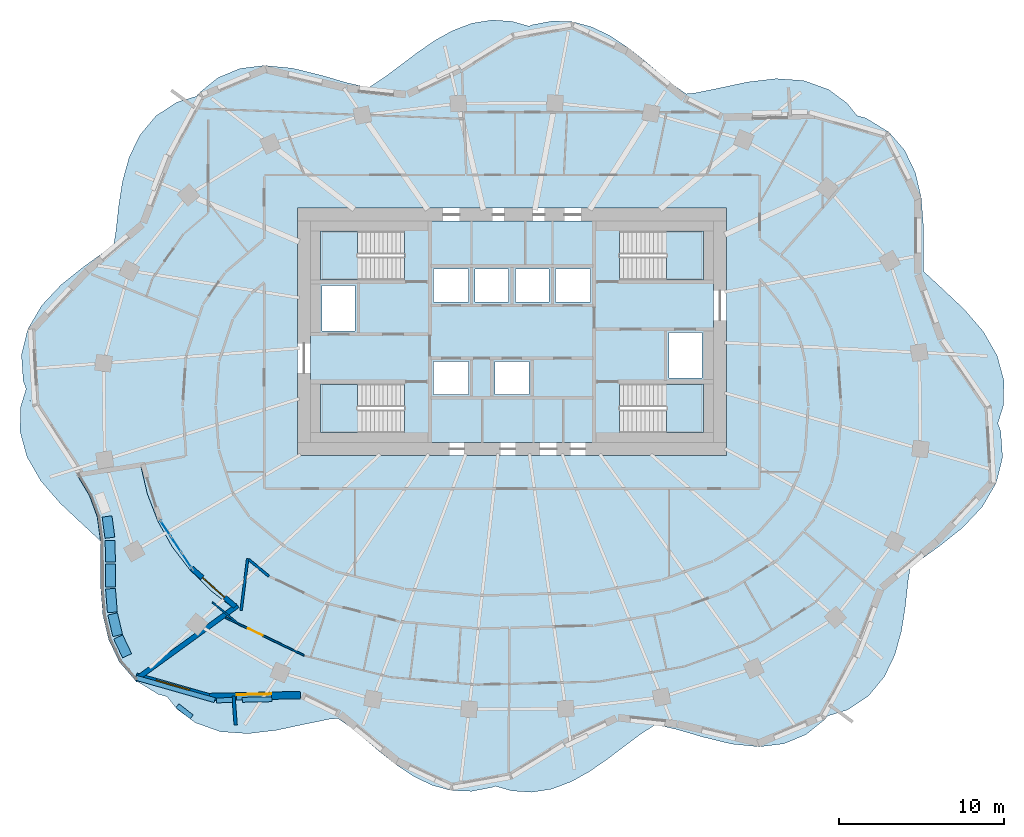
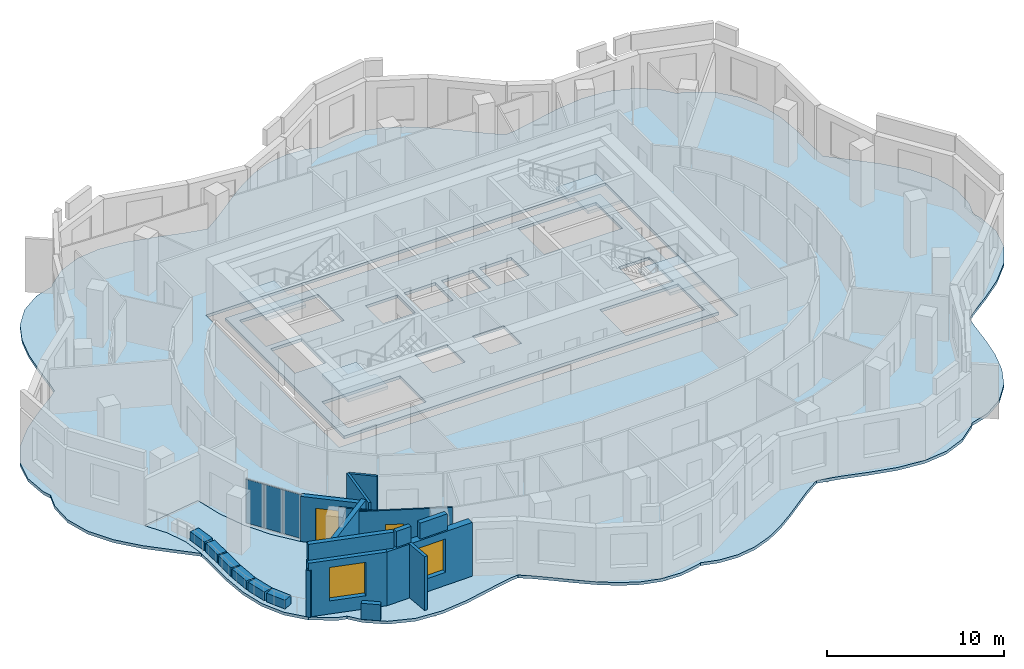
# One storey, part 4 of 13: 19 walls, 7 slabs, 3 plates, 2 doors, 2 windows, 4 openings, 5 elements without a shape of their own.
"""IFC4 building model written with IfcOpenShell, lengths in metres."""

from ifc_helpers import new_model, si_unit, direction, frame, frame_2d, origin, origin_2d, place, context, subcontext, project, spatial, polyline, rectangle, outline, extrude, material, layer, layer_set, type_object, element, fill, aggregate, save


model = new_model("IFC4")

# Units and contexts
model_context = context("Model", 3, precision=1e-05, world=origin(), true_north=direction((0.0, 1.0)))
body_context = subcontext(model_context, "Body", "Model", "MODEL_VIEW")
ifc_project = project(units=[si_unit("LENGTHUNIT", "METRE"), si_unit("AREAUNIT", "SQUARE_METRE"), si_unit("VOLUMEUNIT", "CUBIC_METRE"), si_unit("PLANEANGLEUNIT", "RADIAN"), si_unit("MASSUNIT", "GRAM", prefix="KILO")], contexts=[model_context])

# Site, building, storey
site_placement = place(None, origin())
site = spatial("IfcSite", under=ifc_project, at=site_placement, CompositionType="ELEMENT")
building_placement = place(site_placement, origin())
building = spatial("IfcBuilding", under=site, at=building_placement, Name="Rubra Terraces Tower", CompositionType="ELEMENT")
storey_placement = place(building_placement, frame((0.0, 0.0, 233.10009765625)))
storey = spatial("IfcBuildingStorey", under=building, at=storey_placement, Name="L57", CompositionType="ELEMENT", Elevation=233.10009765625)

# Slab
ifc_material_1 = material(Name="Concrete C40", Category="concrete")
ifc_layer_1 = layer(ifc_material_1, 0.199951171875)
ifc_layer_set_1 = layer_set([ifc_layer_1], Name="Concrete C40")
slab_type_1 = type_object("IfcSlabType", Name="Core floor slab 200 concrete", PredefinedType="FLOOR", material=ifc_layer_set_1)
slab_1_placement = place(storey_placement, frame((0.0, 0.0, -0.2001953125)))
element("IfcSlab", 1, at=slab_1_placement, inside=storey, type_object=slab_type_1, Name="CORE FLOOR SLAB L57", PredefinedType="FLOOR", context=body_context, shape_type="SweptSolid", body=[
    extrude(outline(polyline([(-12.199951171875, -2.199951171875), (-12.199951171875, 11.199951171875), (12.199951171875, 11.199951171875), (12.199951171875, -2.199951171875), (-12.199951171875, -2.199951171875)]), holes=[polyline([(11.597900390625, 1.347900390625), (6.501953125, 1.347900390625), (6.501953125, -1.597900390625), (11.597900390625, -1.597900390625), (11.597900390625, 1.347900390625)]), polyline([(11.597900390625, 7.652099609375), (11.597900390625, 10.597900390625), (6.501953125, 10.597900390625), (6.501953125, 7.652099609375), (11.597900390625, 7.652099609375)]), polyline([(9.5, 1.699951171875), (11.5, 1.699951171875), (11.5, 4.449951171875), (9.5, 4.449951171875), (9.5, 1.699951171875)]), polyline([(4.75, 6.300048828125), (4.75, 8.300048828125), (2.64990234375, 8.300048828125), (2.64990234375, 6.300048828125), (4.75, 6.300048828125)]), polyline([(2.25, 8.300048828125), (0.199951171875, 8.300048828125), (0.199951171875, 6.300048828125), (2.25, 6.300048828125), (2.25, 8.300048828125)]), polyline([(1.02490234375, 0.699951171875), (1.02490234375, 2.699951171875), (-1.02490234375, 2.699951171875), (-1.02490234375, 0.699951171875), (1.02490234375, 0.699951171875)]), polyline([(-0.199951171875, 6.300048828125), (-0.199951171875, 8.300048828125), (-2.25, 8.300048828125), (-2.25, 6.300048828125), (-0.199951171875, 6.300048828125)]), polyline([(-4.75, 8.300048828125), (-4.75, 6.300048828125), (-2.64990234375, 6.300048828125), (-2.64990234375, 8.300048828125), (-4.75, 8.300048828125)]), polyline([(-2.64990234375, 0.699951171875), (-2.64990234375, 2.699951171875), (-4.75, 2.699951171875), (-4.75, 0.699951171875), (-2.64990234375, 0.699951171875)]), polyline([(-11.597900390625, -1.597900390625), (-6.501953125, -1.597900390625), (-6.501953125, 1.347900390625), (-11.597900390625, 1.347900390625), (-11.597900390625, -1.597900390625)]), polyline([(-11.597900390625, 10.597900390625), (-11.597900390625, 7.652099609375), (-6.501953125, 7.652099609375), (-6.501953125, 10.597900390625), (-11.597900390625, 10.597900390625)]), polyline([(-9.5, 4.550048828125), (-9.5, 7.300048828125), (-11.5, 7.300048828125), (-11.5, 4.550048828125), (-9.5, 4.550048828125)])]), origin(), (0.0, 0.0, 1.0), 0.2001953125),
])

# Stair, slab
stair_type = type_object("IfcStairType", Name="Core stair 1400", PredefinedType="HALF_TURN_STAIR", material=ifc_material_1)
stair_1_placement = place(storey_placement, origin())
stair_1 = element("IfcStair", 2, at=stair_1_placement, inside=storey, type_object=stair_type, Name="L57 Exit stair S1", PredefinedType="HALF_TURN_STAIR")
ifc_layer_2 = layer(ifc_material_1, 0.199951171875)
ifc_layer_set_2 = layer_set([ifc_layer_2], Name="Concrete C40")
slab_type_2 = type_object("IfcSlabType", Name="Core stair landing 200", PredefinedType="LANDING", material=ifc_layer_set_2)
slab_2_placement = place(storey_placement, frame((0.0, 0.0, 1.75)))
slab_2 = element("IfcSlab", 3, at=slab_2_placement, type_object=slab_type_2, Name="S1 landing 1", PredefinedType="LANDING", context=body_context, shape_type="SweptSolid", body=[
    extrude(outline(polyline([(-8.97998046875, -0.199951171875), (-8.97998046875, -1.60009765625), (-9.360107421875, -1.60009765625), (-9.3798828125, -1.60009765625), (-11.60009765625, -1.60009765625), (-11.60009765625, 1.35009765625), (-9.3798828125, 1.35009765625), (-9.35791015625, 1.35009765625), (-9.35791015625, -0.050048828125), (-9.360107421875, -0.050048828125), (-9.360107421875, -0.199951171875), (-8.97998046875, -0.199951171875)])), origin(), (0.0, 0.0, 1.0), 0.199951171875),
])
aggregate(stair_1, [slab_2])

stair_2_placement = place(storey_placement, origin())
stair_2 = element("IfcStair", 4, at=stair_2_placement, inside=storey, type_object=stair_type, Name="L57 Exit stair S2", PredefinedType="HALF_TURN_STAIR")
slab_3_placement = place(storey_placement, frame((0.0, 0.0, 1.75)))
slab_3 = element("IfcSlab", 5, at=slab_3_placement, type_object=slab_type_2, Name="S2 landing 1", PredefinedType="LANDING", context=body_context, shape_type="SweptSolid", body=[
    extrude(outline(polyline([(-8.97998046875, 9.050048828125), (-8.97998046875, 7.64990234375), (-9.3798828125, 7.64990234375), (-11.60009765625, 7.64990234375), (-11.60009765625, 10.60009765625), (-9.3798828125, 10.60009765625), (-9.360107421875, 10.60009765625), (-9.35791015625, 10.60009765625), (-9.35791015625, 9.199951171875), (-9.360107421875, 9.199951171875), (-9.360107421875, 9.050048828125), (-8.97998046875, 9.050048828125)])), origin(), (0.0, 0.0, 1.0), 0.199951171875),
])
aggregate(stair_2, [slab_3])

stair_3_placement = place(storey_placement, origin())
stair_3 = element("IfcStair", 6, at=stair_3_placement, inside=storey, type_object=stair_type, Name="L57 Exit stair S3", PredefinedType="HALF_TURN_STAIR")
slab_4_placement = place(storey_placement, frame((0.0, 0.0, 1.75)))
slab_4 = element("IfcSlab", 7, at=slab_4_placement, type_object=slab_type_2, Name="S3 landing 1", PredefinedType="LANDING", context=body_context, shape_type="SweptSolid", body=[
    extrude(outline(polyline([(9.360107421875, 9.050048828125), (9.360107421875, 9.199951171875), (8.97998046875, 9.199951171875), (8.97998046875, 10.60009765625), (9.360107421875, 10.60009765625), (9.3798828125, 10.60009765625), (11.60009765625, 10.60009765625), (11.60009765625, 7.64990234375), (9.3798828125, 7.64990234375), (9.35791015625, 7.64990234375), (9.35791015625, 9.050048828125), (9.360107421875, 9.050048828125)])), origin(), (0.0, 0.0, 1.0), 0.199951171875),
])
aggregate(stair_3, [slab_4])

stair_4_placement = place(storey_placement, origin())
stair_4 = element("IfcStair", 8, at=stair_4_placement, inside=storey, type_object=stair_type, Name="L57 Exit stair S4", PredefinedType="HALF_TURN_STAIR")
slab_5_placement = place(storey_placement, frame((0.0, 0.0, 1.75)))
slab_5 = element("IfcSlab", 9, at=slab_5_placement, type_object=slab_type_2, Name="S4 landing 1", PredefinedType="LANDING", context=body_context, shape_type="SweptSolid", body=[
    extrude(outline(polyline([(9.360107421875, -0.199951171875), (9.360107421875, -0.050048828125), (8.97998046875, -0.050048828125), (8.97998046875, 1.35009765625), (9.360107421875, 1.35009765625), (9.3798828125, 1.35009765625), (11.60009765625, 1.35009765625), (11.60009765625, -1.60009765625), (9.3798828125, -1.60009765625), (9.360107421875, -1.60009765625), (9.35791015625, -1.60009765625), (9.35791015625, -0.199951171875), (9.360107421875, -0.199951171875)])), origin(), (0.0, 0.0, 1.0), 0.199951171875),
])
aggregate(stair_4, [slab_5])

# Slabs
ifc_layer_3 = layer(ifc_material_1, 0.199951171875)
ifc_layer_set_3 = layer_set([ifc_layer_3], Name="Concrete C40")
slab_type_3 = type_object("IfcSlabType", Name="FLOOR SLAB 200 COMPOSITE", PredefinedType="FLOOR", material=ifc_layer_set_3)
slab_6_placement = place(storey_placement, frame((0.0, 0.0, -0.2001953125)))
element("IfcSlab", 10, at=slab_6_placement, inside=storey, type_object=slab_type_3, Name="FLOOR SLAB L57", PredefinedType="FLOOR", context=body_context, shape_type="SweptSolid", body=[
    extrude(outline(polyline([(11.056884765625, 18.9619140625), (10.547119140625, 18.9189453125), (9.8779296875, 19.385986328125), (8.966064453125, 20.132080078125), (8.028076171875, 20.926025390625), (7.051025390625, 21.700927734375), (5.968994140625, 22.422119140625), (4.843994140625, 22.967041015625), (3.68701171875, 23.281982421875), (2.450927734375, 23.33203125), (1.217041015625, 23.095947265625), (1.02099609375, 23.01904296875), (0.0, 23.306884765625), (-1.201904296875, 23.389892578125), (-2.408935546875, 23.197998046875), (-3.60302734375, 22.7470703125), (-4.675048828125, 22.14794921875), (-5.714111328125, 21.43408203125), (-6.718017578125, 20.675048828125), (-7.68701171875, 19.948974609375), (-8.639892578125, 19.31689453125), (-8.69189453125, 19.2900390625), (-9.97998046875, 19.5869140625), (-11.60498046875, 20.055908203125), (-13.2958984375, 20.468994140625), (-14.993896484375, 20.637939453125), (-16.469970703125, 20.4541015625), (-17.81298828125, 19.89404296875), (-18.964111328125, 18.964111328125), (-19.114013671875, 18.77001953125), (-20.320068359375, 18.403076171875), (-21.5791015625, 17.572998046875), (-22.55908203125, 16.389892578125), (-23.196044921875, 15.06103515625), (-23.595947265625, 13.60791015625), (-23.824951171875, 12.139892578125), (-23.992919921875, 10.60107421875), (-24.117919921875, 9.81396484375), (-24.5869140625, 9.424072265625), (-25.9599609375, 8.43505859375), (-27.302001953125, 7.363037109375), (-28.489990234375, 6.096923828125), (-29.337890625, 4.64697265625), (-29.717041015625, 3.10107421875), (-29.60595703125, 1.52587890625), (-29.06689453125, 0.0), (-29.43310546875, 1.035888671875), (-29.757080078125, 0.0), (-29.802978515625, -1.535888671875), (-29.383056640625, -3.072021484375), (-28.547119140625, -4.52099609375), (-27.39111328125, -5.866943359375), (-26.136962890625, -7.0458984375), (-24.98291015625, -8.116943359375), (-24.93310546875, -8.175048828125), (-24.93408203125, -8.10107421875), (-25.1220703125, -6.714111328125), (-25.591064453125, -5.43603515625), (-26.34912109375, -4.173095703125), (-22.4990234375, -3.56396484375), (-22.092041015625, -5.302978515625), (-21.452880859375, -6.969970703125), (-20.58203125, -8.52294921875), (-19.498046875, -9.93505859375), (-18.2509765625, -11.173095703125), (-16.864990234375, -12.2529296875), (-22.839111328125, -16.593017578125), (-21.4150390625, -17.4619140625), (-20.902099609375, -17.594970703125), (-20.301025390625, -18.346923828125), (-19.179931640625, -19.179931640625), (-17.657958984375, -19.72412109375), (-15.985107421875, -19.839111328125), (-14.263916015625, -19.633056640625), (-12.615966796875, -19.281005859375), (-11.056884765625, -18.9619140625), (-10.547119140625, -18.9189453125), (-9.8779296875, -19.385986328125), (-8.966064453125, -20.132080078125), (-8.028076171875, -20.926025390625), (-7.051025390625, -21.700927734375), (-5.968994140625, -22.422119140625), (-4.843994140625, -22.967041015625), (-3.68701171875, -23.281982421875), (-2.450927734375, -23.33203125), (-1.217041015625, -23.095947265625), (-1.02099609375, -23.01904296875), (0.0, -23.306884765625), (1.201904296875, -23.389892578125), (2.408935546875, -23.197998046875), (3.60302734375, -22.7470703125), (4.675048828125, -22.14794921875), (5.714111328125, -21.43408203125), (6.718017578125, -20.675048828125), (7.68701171875, -19.948974609375), (8.639892578125, -19.31689453125), (8.69189453125, -19.2900390625), (9.97998046875, -19.5869140625), (11.60498046875, -20.055908203125), (13.2958984375, -20.468994140625), (14.993896484375, -20.637939453125), (16.469970703125, -20.4541015625), (17.81298828125, -19.89404296875), (18.964111328125, -18.964111328125), (19.114013671875, -18.77001953125), (20.320068359375, -18.403076171875), (21.5791015625, -17.572998046875), (22.55908203125, -16.389892578125), (23.196044921875, -15.06103515625), (23.595947265625, -13.60791015625), (23.824951171875, -12.139892578125), (23.992919921875, -10.60107421875), (24.117919921875, -9.81396484375), (24.5869140625, -9.424072265625), (25.9599609375, -8.43505859375), (27.302001953125, -7.363037109375), (28.489990234375, -6.096923828125), (29.337890625, -4.64697265625), (29.717041015625, -3.10107421875), (29.60595703125, -1.52587890625), (29.06689453125, 0.0), (29.43310546875, -1.035888671875), (29.757080078125, 0.0), (29.802978515625, 1.535888671875), (29.383056640625, 3.072021484375), (28.547119140625, 4.52099609375), (27.39111328125, 5.866943359375), (26.136962890625, 7.0458984375), (24.98291015625, 8.116943359375), (24.93310546875, 8.175048828125), (24.9169921875, 9.5029296875), (24.9150390625, 11.032958984375), (24.7890625, 12.631103515625), (24.43603515625, 14.136962890625), (23.7900390625, 15.491943359375), (22.839111328125, 16.593017578125), (21.4150390625, 17.4619140625), (20.902099609375, 17.594970703125), (20.301025390625, 18.346923828125), (19.179931640625, 19.179931640625), (17.657958984375, 19.72412109375), (15.985107421875, 19.839111328125), (14.263916015625, 19.633056640625), (12.615966796875, 19.281005859375), (11.056884765625, 18.9619140625)]), holes=[polyline([(13.0, 12.0), (13.0, -3.0), (-13.0, -3.0), (-13.0, 12.0), (13.0, 12.0)])]), origin(), (0.0, 0.0, 1.0), 0.2001953125),
])
slab_7_placement = place(storey_placement, frame((0.0, 0.0, -0.2001953125)))
element("IfcSlab", 11, at=slab_7_placement, inside=storey, type_object=slab_type_3, Name="TERRACE SLAB L57", PredefinedType="FLOOR", context=body_context, shape_type="SweptSolid", body=[
    extrude(outline(polyline([(-26.34912109375, -4.173095703125), (-25.591064453125, -5.43603515625), (-25.1220703125, -6.714111328125), (-24.93408203125, -8.10107421875), (-24.9169921875, -9.5029296875), (-24.9150390625, -11.032958984375), (-24.7890625, -12.631103515625), (-24.43603515625, -14.136962890625), (-23.7900390625, -15.491943359375), (-22.839111328125, -16.593017578125), (-16.864990234375, -12.2529296875), (-18.2509765625, -11.173095703125), (-19.498046875, -9.93505859375), (-20.58203125, -8.52294921875), (-21.452880859375, -6.969970703125), (-22.092041015625, -5.302978515625), (-22.4990234375, -3.56396484375), (-26.34912109375, -4.173095703125)])), origin(), (0.0, 0.0, 1.0), 0.2001953125),
])

# Curtain wall, plates
ifc_material_2 = material(Name="Aluminium and glass", Category="aluminium")
curtain_wall_type = type_object("IfcCurtainWallType", Name="Curtain wall Terrace glazing", PredefinedType="NOTDEFINED", material=ifc_material_2)
curtain_wall_placement = place(storey_placement, origin())
curtain_wall = element("IfcCurtainWall", 12, at=curtain_wall_placement, inside=storey, type_object=curtain_wall_type, Name="Terrace glazing L57", PredefinedType="NOTDEFINED")
ifc_material_3 = material(Name="Clear glass, laminated", Category="glass")
ifc_layer_4 = layer(ifc_material_3, 0.028076171875)
ifc_layer_set_4 = layer_set([ifc_layer_4], Name="Clear glass, laminated")
plate_type = type_object("IfcPlateType", Name="Terrace glazing glass panel 28", PredefinedType="CURTAIN_PANEL", material=ifc_layer_set_4)
plate_1_placement = place(storey_placement, frame((-20.9951171875, -7.39208984375, 0.099853515625), z_axis=(0.0, 0.0, 1.0), x_axis=(0.550469498687, -0.834855275491, 0.0)))
plate_1 = element("IfcPlate", 13, at=plate_1_placement, type_object=plate_type, Name="CW3 panel 1.1", PredefinedType="CURTAIN_PANEL", context=body_context, shape_type="SweptSolid", body=[
    extrude(rectangle(XDim=1.10888671875, YDim=0.028076171875, at=origin_2d()), origin(), (0.0, 0.0, 1.0), 3.00390625),
])
plate_2_placement = place(storey_placement, frame((-20.350341796875, -8.369873046875, 0.099853515625), z_axis=(0.0, 0.0, 1.0), x_axis=(0.550469498687, -0.834855275491, 0.0)))
plate_2 = element("IfcPlate", 14, at=plate_2_placement, type_object=plate_type, Name="CW3 panel 2.1", PredefinedType="CURTAIN_PANEL", context=body_context, shape_type="SweptSolid", body=[
    extrude(rectangle(XDim=1.1337890625, YDim=0.028076171875, at=origin_2d()), origin(), (0.0, 0.0, 1.0), 3.00390625),
])
plate_3_placement = place(storey_placement, frame((-19.70556640625, -9.347900390625, 0.099853515625), z_axis=(0.0, 0.0, 1.0), x_axis=(0.550469498687, -0.834855275491, 0.0)))
plate_3 = element("IfcPlate", 15, at=plate_3_placement, type_object=plate_type, Name="CW3 panel 3.1", PredefinedType="CURTAIN_PANEL", context=body_context, shape_type="SweptSolid", body=[
    extrude(rectangle(XDim=1.10888671875, YDim=0.028076171875, at=origin_2d()), origin(), (0.0, 0.0, 1.0), 3.00390625),
])
aggregate(curtain_wall, [plate_1, plate_2, plate_3])

# Wall
ifc_material_4 = material(Name="Brick masonry red-brown", Category="masonry")
ifc_layer_5 = layer(ifc_material_4, 0.300048828125)
ifc_layer_set_5 = layer_set([ifc_layer_5], Name="Brick masonry red-brown")
wall_type_1 = type_object("IfcWallType", Name="Brick edge guard 300", PredefinedType="PARAPET", material=ifc_layer_set_5)
wall_1_placement = place(storey_placement, frame((-19.406005859375, -18.8251953125, 0.0), z_axis=(0.0, 0.0, 1.0), x_axis=(-0.786403390283, 0.617713289279, 0.0)))
element("IfcWall", 16, at=wall_1_placement, inside=storey, type_object=wall_type_1, Name="Edge guard L57.1", PredefinedType="PARAPET", context=body_context, shape_type="SweptSolid", body=[
    extrude(rectangle(XDim=1.095703125, YDim=0.300048828125, at=frame_2d((0.5478515625, 0.0))), origin(), (0.0, 0.0, 1.0), 1.099853515625),
])

# Wall, opening, window
ifc_layer_6 = layer(ifc_material_4, 0.449951171875)
ifc_layer_set_6 = layer_set([ifc_layer_6], Name="Brick masonry red-brown")
wall_type_2 = type_object("IfcWallType", Name="Brick facade wall 450", PredefinedType="SOLIDWALL", material=ifc_layer_set_6)
wall_2_placement = place(storey_placement, frame((-22.777587890625, -16.376708984375, 0.0), z_axis=(0.0, 0.0, 1.0), x_axis=(0.961872816949, -0.273497137123, 0.0)))
wall_2 = element("IfcWall", 17, at=wall_2_placement, inside=storey, type_object=wall_type_2, Name="Facade wall L57 bay 25", PredefinedType="SOLIDWALL", context=body_context, shape_type="SweptSolid", body=[
    extrude(rectangle(XDim=4.584716796875, YDim=0.449951171875, at=frame_2d((2.29248046875, 0.0))), origin(), (0.0, 0.0, 1.0), 3.699951171875),
])
opening_1_placement = place(wall_2_placement, frame((1.242431640625, 0.0, 0.89990234375)))
opening_1 = element("IfcOpeningElement", 18, at=opening_1_placement, cuts=wall_2, Name="Opening W1B", PredefinedType="OPENING", context=body_context, shape_type="SweptSolid", body=[
    extrude(rectangle(XDim=2.10009765625, YDim=2.300048828125, at=frame_2d((1.050048828125, 1.14990234375))), frame((0.0, 0.23486328125, 0.0), z_axis=(0.0, -1.0, 0.0), x_axis=(1.0, 0.0, 0.0)), (0.0, 0.0, 1.0), 0.469970703125),
])
ifc_material_5 = material(Name="Clear glass in aluminium frame", Category="aluminium")
window_type = type_object("IfcWindowType", Name="Fixed deep-set window tall storey 2100 x 2300", PartitioningType="SINGLE_PANEL", PredefinedType="WINDOW", material=ifc_material_5)
window_1_placement = place(opening_1_placement, origin())
window_1 = element("IfcWindow", 19, at=window_1_placement, inside=storey, type_object=window_type, Name="Window L57 bay 25", OverallHeight=2.300048828125, OverallWidth=2.10009765625, PartitioningType="SINGLE_PANEL", PredefinedType="WINDOW", context=body_context, shape_type="SweptSolid", body=[
    extrude(rectangle(XDim=2.10009765625, YDim=2.300048828125, at=frame_2d((1.050048828125, 1.14990234375))), frame((0.0, 0.135009765625, 0.0), z_axis=(0.0, -1.0, 0.0), x_axis=(1.0, 0.0, 0.0)), (0.0, 0.0, 1.0), 0.06005859375),
])
fill(opening_1, window_1)

wall_3_placement = place(storey_placement, frame((-18.433837890625, -17.622314453125, 0.0), z_axis=(0.0, 0.0, 1.0), x_axis=(0.999773749739, 0.021270856405, 0.0)))
wall_3 = element("IfcWall", 20, at=wall_3_placement, inside=storey, type_object=wall_type_2, Name="Facade wall L57 bay 26", PredefinedType="SOLIDWALL", context=body_context, shape_type="SweptSolid", body=[
    extrude(rectangle(XDim=5.612548828125, YDim=0.449951171875, at=frame_2d((2.80615234375, 0.0))), origin(), (0.0, 0.0, 1.0), 3.699951171875),
])
opening_2_placement = place(wall_3_placement, frame((1.75634765625, 0.0, 0.89990234375)))
opening_2 = element("IfcOpeningElement", 21, at=opening_2_placement, cuts=wall_3, Name="Opening W1B", PredefinedType="OPENING", context=body_context, shape_type="SweptSolid", body=[
    extrude(rectangle(XDim=2.10009765625, YDim=2.300048828125, at=frame_2d((1.050048828125, 1.14990234375))), frame((0.0, 0.23486328125, 0.0), z_axis=(0.0, -1.0, 0.0), x_axis=(1.0, 0.0, 0.0)), (0.0, 0.0, 1.0), 0.469970703125),
])
window_2_placement = place(opening_2_placement, origin())
window_2 = element("IfcWindow", 22, at=window_2_placement, inside=storey, type_object=window_type, Name="Window L57 bay 26", OverallHeight=2.300048828125, OverallWidth=2.10009765625, PartitioningType="SINGLE_PANEL", PredefinedType="WINDOW", context=body_context, shape_type="SweptSolid", body=[
    extrude(rectangle(XDim=2.10009765625, YDim=2.300048828125, at=frame_2d((1.050048828125, 1.14990234375))), frame((0.0, 0.135009765625, 0.0), z_axis=(0.0, -1.0, 0.0), x_axis=(1.0, 0.0, 0.0)), (0.0, 0.0, 1.0), 0.06005859375),
])
fill(opening_2, window_2)

# Walls
ifc_layer_7 = layer(ifc_material_4, 0.300048828125)
ifc_layer_set_7 = layer_set([ifc_layer_7], Name="Brick masonry red-brown")
wall_type_3 = type_object("IfcWallType", Name="Brick parapet 300", PredefinedType="PARAPET", material=ifc_layer_set_7)
wall_4_placement = place(storey_placement, frame((-22.798095703125, -16.44873046875, 3.89990234375), z_axis=(0.0, 0.0, 1.0), x_axis=(0.961858011106, -0.273549203016, 0.0)))
element("IfcWall", 23, at=wall_4_placement, inside=storey, type_object=wall_type_3, Name="Parapet L57 bay 25", PredefinedType="PARAPET", context=body_context, shape_type="SweptSolid", body=[
    extrude(rectangle(XDim=4.98095703125, YDim=0.300048828125, at=frame_2d((2.490478515625, 0.0))), origin(), (0.0, 0.0, 1.0), 1.10009765625),
])
wall_5_placement = place(storey_placement, frame((-17.904052734375, -17.824462890625, 3.89990234375), z_axis=(0.0, 0.0, 1.0), x_axis=(0.999771907309, 0.021357278744, 0.0)))
element("IfcWall", 24, at=wall_5_placement, inside=storey, type_object=wall_type_3, Name="Parapet L57 bay 26", PredefinedType="PARAPET", context=body_context, shape_type="SweptSolid", body=[
    extrude(rectangle(XDim=0.9716796875, YDim=0.300048828125, at=frame_2d((0.48583984375, 0.0))), origin(), (0.0, 0.0, 1.0), 1.10009765625),
])
wall_6_placement = place(storey_placement, frame((-16.339599609375, -17.791259765625, 3.89990234375), z_axis=(0.0, 0.0, 1.0), x_axis=(0.999776010316, 0.021164337831, 0.0)))
element("IfcWall", 25, at=wall_6_placement, inside=storey, type_object=wall_type_3, Name="Parapet L57 bay 26.2", PredefinedType="PARAPET", context=body_context, shape_type="SweptSolid", body=[
    extrude(rectangle(XDim=1.7880859375, YDim=0.300048828125, at=frame_2d((0.89404296875, 0.0))), origin(), (0.0, 0.0, 1.0), 1.10009765625),
])
ifc_layer_8 = layer(ifc_material_4, 0.199951171875)
ifc_layer_set_8 = layer_set([ifc_layer_8], Name="Brick masonry red-brown")
wall_type_4 = type_object("IfcWallType", Name="Brick wind fin 200", PredefinedType="SOLIDWALL", material=ifc_layer_set_8)
wall_7_placement = place(storey_placement, frame((-16.868896484375, -17.56591796875, 0.0), z_axis=(0.0, 0.0, 1.0), x_axis=(0.073655868346, -0.997283717434, 0.0)))
element("IfcWall", 26, at=wall_7_placement, inside=storey, type_object=wall_type_4, Name="Wind fin L57 15", PredefinedType="SOLIDWALL", context=body_context, shape_type="SweptSolid", body=[
    extrude(rectangle(XDim=1.75, YDim=0.199951171875, at=frame_2d((0.875, 0.0))), origin(), (0.0, 0.0, 1.0), 3.699951171875),
])
ifc_material_6 = material(Name="Plasterboard on steel stud, mineral wool infill", Category="steel")
ifc_layer_9 = layer(ifc_material_6, 0.14990234375)
ifc_layer_set_9 = layer_set([ifc_layer_9], Name="Plasterboard on steel stud, mineral wool infill")
wall_type_5 = type_object("IfcWallType", Name="CORRIDOR PARTITION 150", PredefinedType="PARTITIONING", material=ifc_layer_set_9)
wall_8_placement = place(storey_placement, frame((-15.9541015625, -9.286376953125, 0.0), z_axis=(0.0, 0.0, 1.0), x_axis=(0.769253118358, -0.638944160234, 0.0)))
element("IfcWall", 27, at=wall_8_placement, inside=storey, type_object=wall_type_5, Name="PARTITION", PredefinedType="PARTITIONING", context=body_context, shape_type="SweptSolid", body=[
    extrude(rectangle(XDim=1.5888671875, YDim=0.14990234375, at=frame_2d((0.79443359375, 0.0))), origin(), (0.0, 0.0, 1.0), 3.083984375),
])

# Wall, opening, door
ifc_material_7 = material(Name="Brick masonry with ochre lime render", Category="masonry")
ifc_layer_10 = layer(ifc_material_7, 0.300048828125)
ifc_layer_set_10 = layer_set([ifc_layer_10], Name="Brick masonry with ochre lime render")
wall_type_6 = type_object("IfcWallType", Name="Ochre rendered brick wall 300, head to beam soffit B", PredefinedType="SOLIDWALL", material=ifc_layer_set_10)
wall_9_placement = place(storey_placement, frame((-19.39892578125, -9.822509765625, 0.0), z_axis=(0.0, 0.0, 1.0), x_axis=(0.750603055011, -0.660753398635, 0.0)))
wall_9 = element("IfcWall", 28, at=wall_9_placement, inside=storey, type_object=wall_type_6, Name="Terrace wall L57 bay 24", PredefinedType="SOLIDWALL", context=body_context, shape_type="SweptSolid", body=[
    extrude(rectangle(XDim=3.5078125, YDim=0.300048828125, at=frame_2d((1.75390625, 0.0))), origin(), (0.0, 0.0, 1.0), 3.10400390625),
])
opening_3_placement = place(wall_9_placement, frame((0.85400390625, 0.0, 0.0)))
opening_3 = element("IfcOpeningElement", 29, at=opening_3_placement, cuts=wall_9, Name="Opening T57.2", PredefinedType="OPENING", context=body_context, shape_type="SweptSolid", body=[
    extrude(rectangle(XDim=1.800048828125, YDim=2.39990234375, at=frame_2d((0.89990234375, 1.199951171875))), frame((0.0, 0.159912109375, 0.0), z_axis=(0.0, -1.0, 0.0), x_axis=(1.0, 0.0, 0.0)), (0.0, 0.0, 1.0), 0.320068359375),
])
ifc_material_8 = material(Name="Glazed aluminium door leaf", Category="aluminium")
door_type_1 = type_object("IfcDoorType", Name="Terrace double door 1800 x 2400", OperationType="DOUBLE_DOOR_DOUBLE_SWING", PredefinedType="DOOR", material=ifc_material_8)
door_1_placement = place(opening_3_placement, origin())
door_1 = element("IfcDoor", 30, at=door_1_placement, inside=storey, type_object=door_type_1, Name="Terrace door L57.2", OperationType="DOUBLE_DOOR_DOUBLE_SWING", OverallHeight=2.39990234375, OverallWidth=1.800048828125, PredefinedType="DOOR", context=body_context, shape_type="SweptSolid", body=[
    extrude(rectangle(XDim=1.800048828125, YDim=2.39990234375, at=frame_2d((0.89990234375, 1.199951171875))), frame((0.0, 0.02490234375, 0.0), z_axis=(0.0, -1.0, 0.0), x_axis=(1.0, 0.0, 0.0)), (0.0, 0.0, 1.0), 0.050048828125),
])
fill(opening_3, door_1)

# Walls
ifc_layer_11 = layer(ifc_material_7, 0.60009765625)
ifc_layer_set_11 = layer_set([ifc_layer_11], Name="Brick masonry with ochre lime render")
wall_type_7 = type_object("IfcWallType", Name="Planter box 600", PredefinedType="SOLIDWALL", material=ifc_layer_set_11)
wall_10_placement = place(storey_placement, frame((-24.530517578125, -6.684326171875, 0.0), z_axis=(0.0, 0.0, 1.0), x_axis=(0.13413230165, -0.990963433056, 0.0)))
element("IfcWall", 31, at=wall_10_placement, inside=storey, type_object=wall_type_7, Name="Planter L57.7", PredefinedType="SOLIDWALL", context=body_context, shape_type="SweptSolid", body=[
    extrude(rectangle(XDim=1.299560546875, YDim=0.60009765625, at=frame_2d((0.64990234375, 0.0))), origin(), (0.0, 0.0, 1.0), 0.599853515625),
])
wall_11_placement = place(storey_placement, frame((-24.343505859375, -8.143798828125, 0.0), z_axis=(0.0, 0.0, 1.0), x_axis=(0.012187356561, -0.999925731412, 0.0)))
element("IfcWall", 32, at=wall_11_placement, inside=storey, type_object=wall_type_7, Name="Planter L57.9", PredefinedType="SOLIDWALL", context=body_context, shape_type="SweptSolid", body=[
    extrude(rectangle(XDim=1.302001953125, YDim=0.60009765625, at=frame_2d((0.65087890625, 0.0))), origin(), (0.0, 0.0, 1.0), 0.599853515625),
])
wall_12_placement = place(storey_placement, frame((-24.326904296875, -9.55224609375, 0.0), z_axis=(0.0, 0.0, 1.0), x_axis=(0.001214433525, -0.999999262575, 0.0)))
element("IfcWall", 33, at=wall_12_placement, inside=storey, type_object=wall_type_7, Name="Planter L57.11", PredefinedType="SOLIDWALL", context=body_context, shape_type="SweptSolid", body=[
    extrude(rectangle(XDim=1.4072265625, YDim=0.60009765625, at=frame_2d((0.70361328125, 0.0))), origin(), (0.0, 0.0, 1.0), 0.599853515625),
])
wall_13_placement = place(storey_placement, frame((-24.321044921875, -11.05908203125, 0.0), z_axis=(0.0, 0.0, 1.0), x_axis=(0.078582378783, -0.996907623476, 0.0)))
element("IfcWall", 34, at=wall_13_placement, inside=storey, type_object=wall_type_7, Name="Planter L57.12", PredefinedType="SOLIDWALL", context=body_context, shape_type="SweptSolid", body=[
    extrude(rectangle(XDim=1.435302734375, YDim=0.60009765625, at=frame_2d((0.7177734375, 0.0))), origin(), (0.0, 0.0, 1.0), 0.599853515625),
])
wall_14_placement = place(storey_placement, frame((-24.19287109375, -12.588623046875, 0.0), z_axis=(0.0, 0.0, 1.0), x_axis=(0.228175113694, -0.973620109432, 0.0)))
element("IfcWall", 35, at=wall_14_placement, inside=storey, type_object=wall_type_7, Name="Planter L57.13", PredefinedType="SOLIDWALL", context=body_context, shape_type="SweptSolid", body=[
    extrude(rectangle(XDim=1.338623046875, YDim=0.60009765625, at=frame_2d((0.66943359375, 0.0))), origin(), (0.0, 0.0, 1.0), 0.599853515625),
])
wall_15_placement = place(storey_placement, frame((-23.8544921875, -13.985595703125, 0.0), z_axis=(0.0, 0.0, 1.0), x_axis=(0.430370378571, -0.902652390042, 0.0)))
element("IfcWall", 36, at=wall_15_placement, inside=storey, type_object=wall_type_7, Name="Planter L57.14", PredefinedType="SOLIDWALL", context=body_context, shape_type="SweptSolid", body=[
    extrude(rectangle(XDim=1.25830078125, YDim=0.60009765625, at=frame_2d((0.629150390625, 0.0))), origin(), (0.0, 0.0, 1.0), 0.599853515625),
])

# Wall, opening, door
ifc_material_9 = material(Name="Plasterboard on steel stud", Category="steel")
ifc_layer_12 = layer(ifc_material_9, 0.10009765625)
ifc_layer_set_12 = layer_set([ifc_layer_12], Name="Plasterboard on steel stud")
wall_type_8 = type_object("IfcWallType", Name="ROOM PARTITION 100", PredefinedType="PARTITIONING", material=ifc_layer_set_12)
wall_16_placement = place(storey_placement, frame((-12.597412109375, -15.09765625, 0.0), z_axis=(0.0, 0.0, 1.0), x_axis=(-0.901499268901, 0.432780623608, 0.0)))
wall_16 = element("IfcWall", 37, at=wall_16_placement, inside=storey, type_object=wall_type_8, Name="PARTITION", PredefinedType="PARTITIONING", context=body_context, shape_type="SweptSolid", body=[
    extrude(rectangle(XDim=5.28515625, YDim=0.10009765625, at=frame_2d((2.642578125, 0.0))), origin(), (0.0, 0.0, 1.0), 3.083984375),
])
opening_4_placement = place(wall_16_placement, frame((2.77587890625, 0.0, 0.0)))
opening_4 = element("IfcOpeningElement", 38, at=opening_4_placement, cuts=wall_16, Name="Opening 57-103", PredefinedType="OPENING", context=body_context, shape_type="SweptSolid", body=[
    extrude(rectangle(XDim=1.0, YDim=2.10009765625, at=frame_2d((0.5, 1.050048828125))), frame((0.0, 0.06005859375, 0.0), z_axis=(0.0, -1.0, 0.0), x_axis=(1.0, 0.0, 0.0)), (0.0, 0.0, 1.0), 0.1201171875),
])
ifc_material_10 = material(Name="Painted timber door leaf", Category="wood")
door_type_2 = type_object("IfcDoorType", Name="ROOM DOOR 1000 X 2100", OperationType="SINGLE_SWING_LEFT", PredefinedType="DOOR", material=ifc_material_10)
door_2_placement = place(opening_4_placement, origin())
door_2 = element("IfcDoor", 39, at=door_2_placement, inside=storey, type_object=door_type_2, Name="DOOR 57-103", OperationType="SINGLE_SWING_RIGHT", OverallHeight=2.10009765625, OverallWidth=1.0, PredefinedType="DOOR", context=body_context, shape_type="SweptSolid", body=[
    extrude(rectangle(XDim=1.0, YDim=2.10009765625, at=frame_2d((0.5, 1.050048828125))), frame((0.0, 0.02490234375, 0.0), z_axis=(0.0, -1.0, 0.0), x_axis=(1.0, 0.0, 0.0)), (0.0, 0.0, 1.0), 0.050048828125),
])
fill(opening_4, door_2)

# Walls
wall_17_placement = place(storey_placement, frame((-16.6201171875, -13.153076171875, 0.0), z_axis=(0.0, 0.0, 1.0), x_axis=(-0.769203327659, 0.639004100706, 0.0)))
element("IfcWall", 40, at=wall_17_placement, inside=storey, type_object=wall_type_8, Name="PARTITION", PredefinedType="PARTITIONING", context=body_context, shape_type="SweptSolid", body=[
    extrude(rectangle(XDim=1.9951171875, YDim=0.10009765625, at=frame_2d((0.99755859375, 0.0))), origin(), (0.0, 0.0, 1.0), 3.083984375),
])
ifc_layer_13 = layer(ifc_material_9, 0.14990234375)
ifc_layer_set_13 = layer_set([ifc_layer_13], Name="Plasterboard on steel stud")
wall_type_9 = type_object("IfcWallType", Name="ROOM PARTITION 150", PredefinedType="PARTITIONING", material=ifc_layer_set_13)
wall_18_placement = place(storey_placement, frame((-16.409912109375, -12.38525390625, 0.0), z_axis=(0.0, 0.0, 1.0), x_axis=(0.125540868956, 0.99208844879, 0.0)))
element("IfcWall", 41, at=wall_18_placement, inside=storey, type_object=wall_type_9, Name="PARTITION", PredefinedType="PARTITIONING", context=body_context, shape_type="SweptSolid", body=[
    extrude(rectangle(XDim=3.171875, YDim=0.14990234375, at=frame_2d((1.5859375, 0.0))), origin(), (0.0, 0.0, 1.0), 3.083984375),
])
ifc_material_11 = material(Name="Brick masonry with rose lime render", Category="masonry")
ifc_layer_14 = layer(ifc_material_11, 0.300048828125)
ifc_layer_set_14 = layer_set([ifc_layer_14], Name="Brick masonry with rose lime render")
wall_type_10 = type_object("IfcWallType", Name="Rose rendered brick wall 300, head to beam soffit B", PredefinedType="SOLIDWALL", material=ifc_layer_set_14)
wall_19_placement = place(storey_placement, frame((-22.839111328125, -16.593017578125, 0.0), z_axis=(0.0, 0.0, 1.0), x_axis=(0.80904235976, 0.58775033825, 0.0)))
element("IfcWall", 42, at=wall_19_placement, inside=storey, type_object=wall_type_10, Name="Terrace side wall L57.2", PredefinedType="SOLIDWALL", context=body_context, shape_type="SweptSolid", body=[
    extrude(rectangle(XDim=7.68408203125, YDim=0.300048828125, at=frame_2d((3.842041015625, 0.0))), origin(), (0.0, 0.0, 1.0), 3.203857421875),
])

save(model, "model.ifc")
